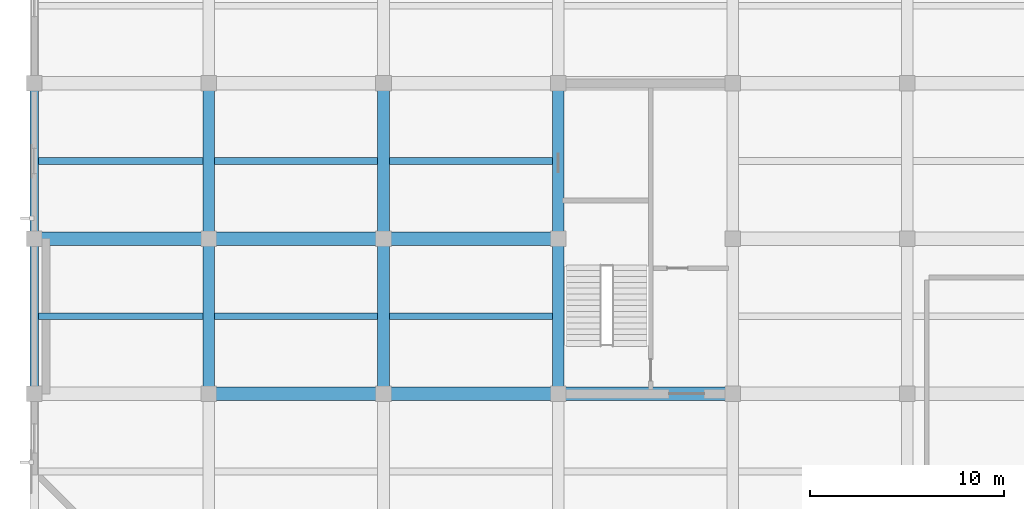
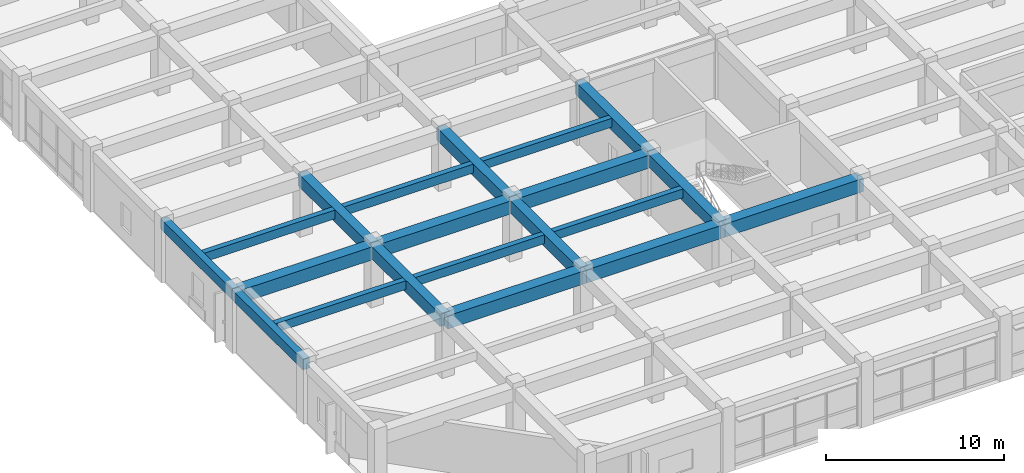
# One storey, part 4 of 50: 20 beams.
"""IFC4 building model written with IfcOpenShell, lengths in metres."""

import ifcopenshell
import ifcopenshell.guid

model = None  # the IFC model being written
_history = None  # IfcOwnerHistory: only IFC2X3 demands one
_inside = {}  # id of a spatial element -> (the spatial element, [elements in it])
_under = {}  # id of a project, library or spatial element -> (it, [spatial elements below it])
_declared = {}  # id of a project -> (the project, [libraries it declares])
_typed = {}  # id of a type object -> (the type object, [elements of that type])
_made_of = {}  # id of a material, layer set ... -> (it, [elements and type objects made of it])


def new_model(schema):
    """Start an empty IFC model of exactly this schema.

    Asked for "IFC4X3", IfcOpenShell would pick the latest addendum, in which some entities
    have other attributes; the version numbers below select the first issue.
    IFC2X3 requires an IfcOwnerHistory on every rooted entity: one is made here for all.
    """
    global model, _history
    if schema == "IFC4X3":
        model = ifcopenshell.file(schema_version=(4, 3, 0, 0))
    else:
        model = ifcopenshell.file(schema=schema)
    _inside.clear()
    _under.clear()
    _declared.clear()
    _typed.clear()
    _made_of.clear()
    _history = None
    if model.schema == "IFC2X3":
        org = make("IfcOrganization", Name="unknown")
        user = make(
            "IfcPersonAndOrganization",
            ThePerson=make("IfcPerson", FamilyName="unknown"),
            TheOrganization=org,
        )
        app = make(
            "IfcApplication",
            ApplicationDeveloper=org,
            Version="unknown",
            ApplicationFullName="unknown",
            ApplicationIdentifier="unknown",
        )
        _history = make(
            "IfcOwnerHistory",
            OwningUser=user,
            OwningApplication=app,
            ChangeAction="ADDED",
            CreationDate=0,
        )
    return model


def make(cls, **values):
    """One entity of the class cls with the attributes given. An attribute that is None is left unset."""
    return model.create_entity(
        cls, **{name: value for name, value in values.items() if value is not None}
    )


def rooted(cls, **values):
    """An entity with a GlobalId (a new one), such as an element, a storey or a relation."""
    return make(cls, GlobalId=ifcopenshell.guid.new(), OwnerHistory=_history, **values)


def si_unit(unit_type, name, prefix=None):
    """IfcSIUnit, for example si_unit("LENGTHUNIT", "METRE", prefix="MILLI")."""
    return make("IfcSIUnit", UnitType=unit_type, Prefix=prefix, Name=name)


def assignment(units):
    """IfcUnitAssignment: the units of a project."""
    return None if units is None else make("IfcUnitAssignment", Units=units)


def point(xyz):
    """IfcCartesianPoint."""
    return None if xyz is None else make("IfcCartesianPoint", Coordinates=xyz)


def direction(xyz):
    """IfcDirection."""
    return None if xyz is None else make("IfcDirection", DirectionRatios=xyz)


def frame(location, z_axis=None, x_axis=None):
    """IfcAxis2Placement3D, a coordinate frame: its origin and axes. An axis left out is left unset."""
    return make(
        "IfcAxis2Placement3D",
        Location=point(location),
        Axis=direction(z_axis),
        RefDirection=direction(x_axis),
    )


def frame_2d(location, x_axis=None):
    """IfcAxis2Placement2D, a coordinate frame in the plane: its origin and x axis."""
    return make(
        "IfcAxis2Placement2D", Location=point(location), RefDirection=direction(x_axis)
    )


def origin():
    """The frame at (0, 0, 0) with its axes left unset."""
    return frame((0.0, 0.0, 0.0))


def origin_2d():
    """The frame at (0, 0) in the plane with its x axis left unset."""
    return frame_2d((0.0, 0.0))


def place(relative_to, where):
    """IfcLocalPlacement: puts the frame where relative to a parent placement (None: the world)."""
    return make(
        "IfcLocalPlacement", PlacementRelTo=relative_to, RelativePlacement=where
    )


def context(
    kind, dimensions, precision=None, world=None, true_north=None, identifier=None
):
    """IfcGeometricRepresentationContext, for example the 3D "Model" context."""
    return make(
        "IfcGeometricRepresentationContext",
        ContextIdentifier=identifier,
        ContextType=kind,
        CoordinateSpaceDimension=dimensions,
        Precision=precision,
        WorldCoordinateSystem=world,
        TrueNorth=true_north,
    )


def subcontext(parent, identifier, kind, view, scale=None):
    """IfcGeometricRepresentationSubContext, for example "Body" below "Model"."""
    return make(
        "IfcGeometricRepresentationSubContext",
        ContextIdentifier=identifier,
        ContextType=kind,
        ParentContext=parent,
        TargetScale=scale,
        TargetView=view,
    )


def project(units=None, contexts=None):
    """IfcProject with its units and contexts."""
    return rooted(
        "IfcProject",
        Name="project",
        RepresentationContexts=contexts,
        UnitsInContext=assignment(units),
    )


def spatial(cls, under=None, at=None, **own):
    """A site, building, storey or space (cls), placed at a placement, below another one or the project."""
    s = rooted(cls, ObjectPlacement=at, **own)
    if under is not None:
        _under.setdefault(under.id(), (under, []))[1].append(s)
    return s


def profile(cls, at=None, kind="AREA", **sizes):
    """A parametric profile (cls). Its sizes go by their IFC names, for example OverallWidth=200.0."""
    return make(cls, ProfileType=kind, Position=at, **sizes)


def rectangle(**sizes):
    """IfcRectangleProfileDef."""
    return profile("IfcRectangleProfileDef", **sizes)


def extrude(swept, where, along, depth):
    """IfcExtrudedAreaSolid: the profile swept, set in the frame where, extruded along a direction by depth."""
    return make(
        "IfcExtrudedAreaSolid",
        SweptArea=swept,
        Position=where,
        ExtrudedDirection=direction(along),
        Depth=depth,
    )


def shape(context_of_items, identifier, shape_type, items):
    """IfcShapeRepresentation: the items that make up one representation, for example the "Body"."""
    return make(
        "IfcShapeRepresentation",
        ContextOfItems=context_of_items,
        RepresentationIdentifier=identifier,
        RepresentationType=shape_type,
        Items=items,
    )


def material(Name=None, Category=None):
    """IfcMaterial."""
    return make("IfcMaterial", Name=Name, Category=Category)


def material_profile(
    of_material, cross_section, Name=None, Category=None, Priority=None
):
    """IfcMaterialProfile: a cross section and its material."""
    return make(
        "IfcMaterialProfile",
        Name=Name,
        Material=of_material,
        Profile=cross_section,
        Priority=Priority,
        Category=Category,
    )


def profile_set(profiles, Name=None, composite=None):
    """IfcMaterialProfileSet."""
    return make(
        "IfcMaterialProfileSet",
        Name=Name,
        MaterialProfiles=profiles,
        CompositeProfile=composite,
    )


def made_of(thing, what):
    """Note that an element or type object is made of a material, layer set ...; save() writes the relation."""
    if what is not None:
        _made_of.setdefault(what.id(), (what, []))[1].append(thing)
    return thing


def type_object(cls, material=None, **own):
    """A type object (cls), such as IfcWallType, which elements share."""
    return made_of(rooted(cls, **own), material)


def element(
    cls,
    number,
    at=None,
    inside=None,
    cuts=None,
    type_object=None,
    material=None,
    context=None,
    identifier="Body",
    shape_type=None,
    held_by="IfcProductDefinitionShape",
    body=None,
    shapes=None,
    **own,
):
    """One element of the class cls, such as IfcWall. Its Tag is "e" and its number.

    at: its placement. inside: the storey or other place that contains it. cuts: it is an
    opening in that element (IfcRelVoidsElement). A single representation is given by context,
    identifier, shape_type and body (its items); several are given by shapes. held_by: the class
    of the entity that holds the representations. save() writes the other relations.
    """
    e = rooted(cls, Tag="e%d" % number, ObjectPlacement=at, **own)
    if body is not None:
        shapes = [shape(context, identifier, shape_type, body)]
    if shapes is not None:
        e.Representation = make(held_by, Representations=shapes)
    if inside is not None:
        _inside.setdefault(inside.id(), (inside, []))[1].append(e)
    if cuts is not None:
        rooted(
            "IfcRelVoidsElement", RelatingBuildingElement=cuts, RelatedOpeningElement=e
        )
    if type_object is not None:
        _typed.setdefault(type_object.id(), (type_object, []))[1].append(e)
    return made_of(e, material)


def aggregate(whole, parts):
    """IfcRelAggregates: a whole, such as a stair, and the parts it consists of."""
    return rooted("IfcRelAggregates", RelatingObject=whole, RelatedObjects=parts)


def save(model, path):
    """Write the relations noted so far, then the file.

    IfcRelAggregates (storeys below a building ...), IfcRelContainedInSpatialStructure (elements
    in a storey), IfcRelDefinesByType, IfcRelAssociatesMaterial and IfcRelDeclares: one each for
    every whole, place, type object, material and project.
    """
    for whole, parts in _under.values():
        aggregate(whole, parts)
    for where, things in _inside.values():
        rooted(
            "IfcRelContainedInSpatialStructure",
            RelatedElements=things,
            RelatingStructure=where,
        )
    for kind, things in _typed.values():
        rooted("IfcRelDefinesByType", RelatedObjects=things, RelatingType=kind)
    for what, things in _made_of.values():
        rooted("IfcRelAssociatesMaterial", RelatedObjects=things, RelatingMaterial=what)
    for by, libraries in _declared.values():
        rooted("IfcRelDeclares", RelatingContext=by, RelatedDefinitions=libraries)
    model.write(path)


model = new_model("IFC4")

# Units and contexts
model_context = context("Model", 3, precision=1e-05, world=origin(), true_north=direction((0.0, 1.0)))
body_context = subcontext(model_context, "Body", "Model", "MODEL_VIEW")
ifc_project = project(units=[si_unit("LENGTHUNIT", "METRE"), si_unit("AREAUNIT", "SQUARE_METRE"), si_unit("VOLUMEUNIT", "CUBIC_METRE"), si_unit("PLANEANGLEUNIT", "RADIAN"), si_unit("MASSUNIT", "GRAM", prefix="KILO")], contexts=[model_context])

# Site, building, storey
site_placement = place(None, origin())
site = spatial("IfcSite", under=ifc_project, at=site_placement, CompositionType="ELEMENT")
building_placement = place(site_placement, origin())
building = spatial("IfcBuilding", under=site, at=building_placement, Name="Zaverband Oceanarium and Marine Research Institute", CompositionType="ELEMENT")
storey_placement = place(building_placement, frame((0.0, 0.0, 9.0)))
storey = spatial("IfcBuildingStorey", under=building, at=storey_placement, Name="L02", CompositionType="ELEMENT", Elevation=9.0)

# Beams
ifc_material = material(Name="Concrete C40/50", Category="concrete")
ifc_material_profile_1 = material_profile(ifc_material, rectangle(XDim=0.60009765625, YDim=0.85009765625, at=origin_2d()), Name="RC600x850")
ifc_profile_set_1 = profile_set([ifc_material_profile_1], Name="Concrete C40/50")
beam_type_1 = type_object("IfcBeamType", Name="BM-600x850", PredefinedType="BEAM", material=ifc_profile_set_1)
for number, where, z_axis, x_axis, name in (
    (1, (9.0, 16.0, 3.715087890625), (0.0, 1.0, 0.0), (-1.0, 0.0, 0.0), "Primary floor girder BM-600x850"),
    (2, (9.0, 24.0, 3.715087890625), (0.0, 1.0, 0.0), (-1.0, 0.0, 0.0), "Primary floor girder BM-600x850"),
    (3, (18.0, 16.0, 3.715087890625), (0.0, 1.0, 0.0), (-1.0, 0.0, 0.0), "Primary floor girder BM-600x850"),
    (4, (18.0, 24.0, 3.715087890625), (0.0, 1.0, 0.0), (-1.0, 0.0, 0.0), "Primary floor girder BM-600x850"),
    (5, (27.0, 16.0, 3.715087890625), (0.0, 1.0, 0.0), (-1.0, 0.0, 0.0), "Primary floor girder BM-600x850"),
    (6, (27.0, 24.0, 3.715087890625), (0.0, 1.0, 0.0), (-1.0, 0.0, 0.0), "Primary floor girder BM-600x850"),
):
    element("IfcBeam", number, at=place(storey_placement, frame(where, z_axis=z_axis, x_axis=x_axis)), inside=storey, type_object=beam_type_1, Name=name, PredefinedType="BEAM", context=body_context, shape_type="SweptSolid", body=[
        extrude(rectangle(XDim=0.60009765625, YDim=0.85009765625, at=origin_2d()), origin(), (0.0, 0.0, 1.0), 8.0),
    ])
ifc_material_profile_2 = material_profile(ifc_material, rectangle(XDim=0.699951171875, YDim=0.89990234375, at=origin_2d()), Name="RC700x900")
ifc_profile_set_2 = profile_set([ifc_material_profile_2], Name="Concrete C40/50")
beam_type_2 = type_object("IfcBeamType", Name="BM-700x900", PredefinedType="BEAM", material=ifc_profile_set_2)
for number, where, z_axis, x_axis, name in (
    (7, (9.0, 16.0, 3.68994140625), (1.0, 0.0, 0.0), (0.0, 1.0, 0.0), "Primary floor girder BM-700x900"),
    (8, (18.0, 16.0, 3.68994140625), (1.0, 0.0, 0.0), (0.0, 1.0, 0.0), "Primary floor girder BM-700x900"),
    (9, (27.0, 16.0, 3.68994140625), (1.0, 0.0, 0.0), (0.0, 1.0, 0.0), "Primary floor girder BM-700x900"),
    (10, (0.0, 24.0, 3.68994140625), (1.0, 0.0, 0.0), (0.0, 1.0, 0.0), "Primary floor girder BM-700x900"),
    (11, (9.0, 24.0, 3.68994140625), (1.0, 0.0, 0.0), (0.0, 1.0, 0.0), "Primary floor girder BM-700x900"),
    (12, (18.0, 24.0, 3.68994140625), (1.0, 0.0, 0.0), (0.0, 1.0, 0.0), "Primary floor girder BM-700x900"),
):
    element("IfcBeam", number, at=place(storey_placement, frame(where, z_axis=z_axis, x_axis=x_axis)), inside=storey, type_object=beam_type_2, Name=name, PredefinedType="BEAM", context=body_context, shape_type="SweptSolid", body=[
        extrude(rectangle(XDim=0.699951171875, YDim=0.89990234375, at=origin_2d()), origin(), (0.0, 0.0, 1.0), 9.0),
    ])
ifc_material_profile_3 = material_profile(ifc_material, rectangle(XDim=0.35009765625, YDim=0.60009765625, at=origin_2d()), Name="RC350x600")
ifc_profile_set_3 = profile_set([ifc_material_profile_3], Name="Concrete C40/50")
beam_type_3 = type_object("IfcBeamType", Name="JST-350x600", PredefinedType="JOIST", material=ifc_profile_set_3)
for number, where, z_axis, x_axis, name in (
    (13, (0.22509765625, 20.0, 3.840087890625), (1.0, 0.0, 0.0), (0.0, 1.0, 0.0), "Secondary floor joist JST-350x600"),
    (14, (0.22509765625, 28.0, 3.840087890625), (1.0, 0.0, 0.0), (0.0, 1.0, 0.0), "Secondary floor joist JST-350x600"),
):
    element("IfcBeam", number, at=place(storey_placement, frame(where, z_axis=z_axis, x_axis=x_axis)), inside=storey, type_object=beam_type_3, Name=name, PredefinedType="JOIST", context=body_context, shape_type="SweptSolid", body=[
        extrude(rectangle(XDim=0.35009765625, YDim=0.60009765625, at=origin_2d()), origin(), (0.0, 0.0, 1.0), 8.474853515625),
    ])
for number, where, z_axis, x_axis, name in (
    (15, (9.300048828125, 20.0, 3.840087890625), (1.0, 0.0, 0.0), (0.0, 1.0, 0.0), "Secondary floor joist JST-350x600"),
    (16, (9.300048828125, 28.0, 3.840087890625), (1.0, 0.0, 0.0), (0.0, 1.0, 0.0), "Secondary floor joist JST-350x600"),
    (17, (18.300048828125, 20.0, 3.840087890625), (1.0, 0.0, 0.0), (0.0, 1.0, 0.0), "Secondary floor joist JST-350x600"),
    (18, (18.300048828125, 28.0, 3.840087890625), (1.0, 0.0, 0.0), (0.0, 1.0, 0.0), "Secondary floor joist JST-350x600"),
):
    element("IfcBeam", number, at=place(storey_placement, frame(where, z_axis=z_axis, x_axis=x_axis)), inside=storey, type_object=beam_type_3, Name=name, PredefinedType="JOIST", context=body_context, shape_type="SweptSolid", body=[
        extrude(rectangle(XDim=0.35009765625, YDim=0.60009765625, at=origin_2d()), origin(), (0.0, 0.0, 1.0), 8.39990234375),
    ])
ifc_material_profile_4 = material_profile(ifc_material, rectangle(XDim=0.449951171875, YDim=0.699951171875, at=origin_2d()), Name="RC450x700")
ifc_profile_set_4 = profile_set([ifc_material_profile_4], Name="Concrete C40/50")
beam_type_4 = type_object("IfcBeamType", Name="SPN-450x700", PredefinedType="SPANDREL", material=ifc_profile_set_4)
for number, where, z_axis, x_axis, name in (
    (19, (0.0, 16.0, 3.7900390625), (0.0, 1.0, 0.0), (-1.0, 0.0, 0.0), "Perimeter spandrel beam SPN-450x700"),
    (20, (0.0, 24.0, 3.7900390625), (0.0, 1.0, 0.0), (-1.0, 0.0, 0.0), "Perimeter spandrel beam SPN-450x700"),
):
    element("IfcBeam", number, at=place(storey_placement, frame(where, z_axis=z_axis, x_axis=x_axis)), inside=storey, type_object=beam_type_4, Name=name, PredefinedType="SPANDREL", context=body_context, shape_type="SweptSolid", body=[
        extrude(rectangle(XDim=0.449951171875, YDim=0.699951171875, at=origin_2d()), origin(), (0.0, 0.0, 1.0), 8.0),
    ])

save(model, "model.ifc")
